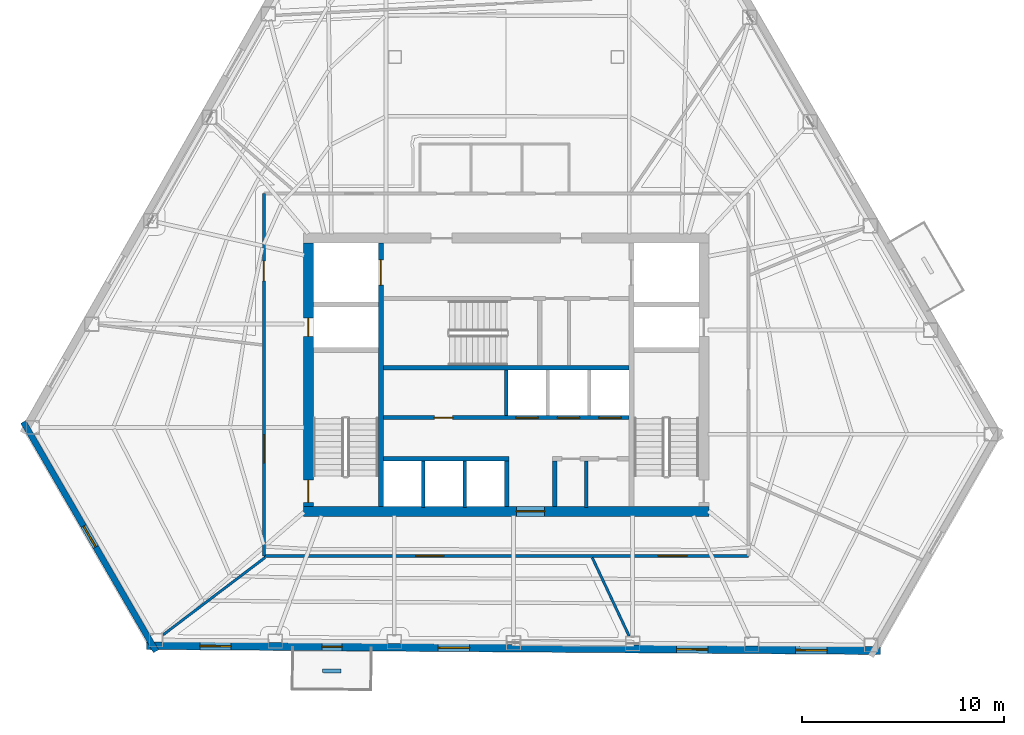
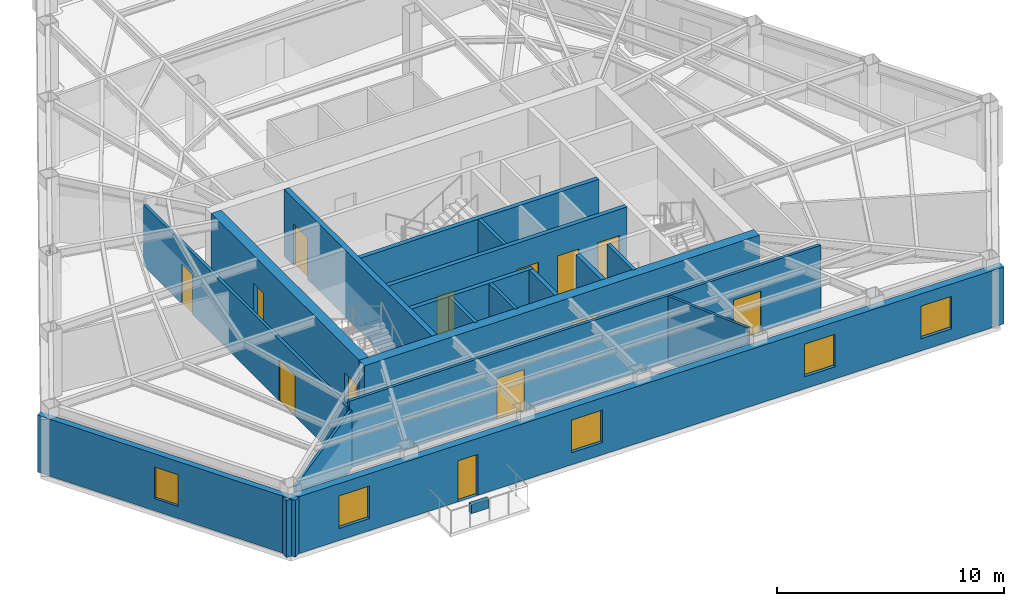
# One storey, part 5 of 9: 19 walls, 13 doors, 5 windows, 18 openings.
"""IFC4 building model written with IfcOpenShell, lengths in metres."""

from ifc_helpers import new_model, si_unit, direction, frame, frame_2d, origin, place, context, subcontext, project, spatial, rectangle, extrude, material, layer, layer_set, type_object, element, fill, save


model = new_model("IFC4")

# Units and contexts
model_context = context("Model", 3, precision=1e-05, world=origin(), true_north=direction((0.0, 1.0)))
body_context = subcontext(model_context, "Body", "Model", "MODEL_VIEW")
ifc_project = project(units=[si_unit("LENGTHUNIT", "METRE"), si_unit("AREAUNIT", "SQUARE_METRE"), si_unit("VOLUMEUNIT", "CUBIC_METRE"), si_unit("PLANEANGLEUNIT", "RADIAN"), si_unit("MASSUNIT", "GRAM", prefix="KILO")], contexts=[model_context])

# Site, building, storey
site_placement = place(None, origin())
site = spatial("IfcSite", under=ifc_project, at=site_placement, CompositionType="ELEMENT")
building_placement = place(site_placement, origin())
building = spatial("IfcBuilding", under=site, at=building_placement, Name="Kavelnor Concourse Tower", CompositionType="ELEMENT")
storey_placement = place(building_placement, frame((0.0, 0.0, 112.449951171875)))
storey = spatial("IfcBuildingStorey", under=building, at=storey_placement, Name="L28", CompositionType="ELEMENT", Elevation=112.449951171875)

# Wall, opening, door
ifc_material_1 = material(Name="Concrete C60/75", Category="concrete")
ifc_layer_1 = layer(ifc_material_1, 0.5, Name="Concrete C60/75")
ifc_layer_set_1 = layer_set([ifc_layer_1], Name="Concrete C60/75")
wall_type_1 = type_object("IfcWallType", Name="WL-CORE-Z2-500", PredefinedType="SOLIDWALL", material=ifc_layer_set_1)
wall_1_placement = place(storey_placement, frame((27.97998046875, 9.35009765625, 0.0), z_axis=(0.0, 0.0, 1.0), x_axis=(1.0, 0.0, 0.0)))
wall_1 = element("IfcWall", 1, at=wall_1_placement, inside=storey, type_object=wall_type_1, Name="L28 Central Core South Shear Wall", PredefinedType="SOLIDWALL", context=body_context, shape_type="SweptSolid", body=[
    extrude(rectangle(XDim=20.0400390625, YDim=0.5, at=frame_2d((10.02001953125, 0.0))), origin(), (0.0, 0.0, 1.0), 3.60009765625),
])
opening_1_placement = place(wall_1_placement, frame((10.52001953125, 0.0, 0.0)))
opening_1 = element("IfcOpeningElement", 2, at=opening_1_placement, cuts=wall_1, Name="Opening SD-140", PredefinedType="OPENING", context=body_context, shape_type="SweptSolid", body=[
    extrude(rectangle(XDim=1.39990234375, YDim=2.199951171875, at=frame_2d((0.699951171875, 1.10009765625))), frame((0.0, 0.260009765625, 0.0), z_axis=(0.0, -1.0, 0.0), x_axis=(1.0, 0.0, 0.0)), (0.0, 0.0, 1.0), 0.52001953125),
])
ifc_material_2 = material(Name="Solid-core hardwood timber", Category="wood")
door_type_1 = type_object("IfcDoorType", Name="DR-SUITE-ENTRY-1400", OperationType="NOTDEFINED", PredefinedType="DOOR", material=ifc_material_2)
door_1_placement = place(opening_1_placement, origin())
door_1 = element("IfcDoor", 3, at=door_1_placement, inside=storey, type_object=door_type_1, Name="L28 Passenger Lift Lobby Entry Door", OperationType="SINGLE_SWING_LEFT", OverallHeight=2.199951171875, OverallWidth=1.39990234375, PredefinedType="DOOR", context=body_context, shape_type="SweptSolid", body=[
    extrude(rectangle(XDim=1.39990234375, YDim=2.199951171875, at=frame_2d((0.699951171875, 1.10009765625))), frame((0.0, 0.02490234375, 0.0), z_axis=(0.0, -1.0, 0.0), x_axis=(1.0, 0.0, 0.0)), (0.0, 0.0, 1.0), 0.050048828125),
])
fill(opening_1, door_1)

# Wall, openings, doors
wall_2_placement = place(storey_placement, frame((28.22998046875, 9.60009765625, 0.0), z_axis=(0.0, 0.0, 1.0), x_axis=(0.0, 1.0, 0.0)))
wall_2 = element("IfcWall", 4, at=wall_2_placement, inside=storey, type_object=wall_type_1, Name="L28 Central Core West Shear Wall", PredefinedType="SOLIDWALL", context=body_context, shape_type="SweptSolid", body=[
    extrude(rectangle(XDim=13.0, YDim=0.5, at=frame_2d((6.5, 0.0))), origin(), (0.0, 0.0, 1.0), 3.60009765625),
])
opening_2_placement = place(wall_2_placement, frame((0.199951171875, 0.0, 0.0)))
opening_2 = element("IfcOpeningElement", 5, at=opening_2_placement, cuts=wall_2, Name="Opening FD-110", PredefinedType="OPENING", context=body_context, shape_type="SweptSolid", body=[
    extrude(rectangle(XDim=1.10009765625, YDim=2.14990234375, at=frame_2d((0.550048828125, 1.074951171875))), frame((0.0, 0.260009765625, 0.0), z_axis=(0.0, -1.0, 0.0), x_axis=(1.0, 0.0, 0.0)), (0.0, 0.0, 1.0), 0.52001953125),
])
opening_3_placement = place(wall_2_placement, frame((8.39990234375, 0.0, 0.0)))
opening_3 = element("IfcOpeningElement", 6, at=opening_3_placement, cuts=wall_2, Name="Opening FD-090", PredefinedType="OPENING", context=body_context, shape_type="SweptSolid", body=[
    extrude(rectangle(XDim=0.89990234375, YDim=2.10009765625, at=frame_2d((0.449951171875, 1.050048828125))), frame((0.0, 0.260009765625, 0.0), z_axis=(0.0, -1.0, 0.0), x_axis=(1.0, 0.0, 0.0)), (0.0, 0.0, 1.0), 0.52001953125),
])
ifc_material_3 = material(Name="Steel Grade 350", Category="steel")
door_type_2 = type_object("IfcDoorType", Name="DR-RISER-FIRE-900", OperationType="NOTDEFINED", PredefinedType="DOOR", material=ifc_material_3)
door_2_placement = place(opening_3_placement, origin())
door_2 = element("IfcDoor", 7, at=door_2_placement, inside=storey, type_object=door_type_2, Name="L28 West Riser Access Door", OperationType="SINGLE_SWING_RIGHT", OverallHeight=2.10009765625, OverallWidth=0.89990234375, PredefinedType="DOOR", context=body_context, shape_type="SweptSolid", body=[
    extrude(rectangle(XDim=0.89990234375, YDim=2.10009765625, at=frame_2d((0.449951171875, 1.050048828125))), frame((0.0, 0.02490234375, 0.0), z_axis=(0.0, -1.0, 0.0), x_axis=(1.0, 0.0, 0.0)), (0.0, 0.0, 1.0), 0.050048828125),
])
fill(opening_3, door_2)
door_type_3 = type_object("IfcDoorType", Name="DR-STAIR-FIRE-1100", OperationType="NOTDEFINED", PredefinedType="DOOR", material=ifc_material_3)
door_3_placement = place(opening_2_placement, origin())
door_3 = element("IfcDoor", 8, at=door_3_placement, inside=storey, type_object=door_type_3, Name="L28 Stair ST1 Fire Door", OperationType="SINGLE_SWING_LEFT", OverallHeight=2.14990234375, OverallWidth=1.10009765625, PredefinedType="DOOR", context=body_context, shape_type="SweptSolid", body=[
    extrude(rectangle(XDim=1.10009765625, YDim=2.14990234375, at=frame_2d((0.550048828125, 1.074951171875))), frame((0.0, 0.02490234375, 0.0), z_axis=(0.0, -1.0, 0.0), x_axis=(1.0, 0.0, 0.0)), (0.0, 0.0, 1.0), 0.050048828125),
])
fill(opening_2, door_3)

# Wall, opening, window
ifc_material_4 = material(Name="Buff ironspot clay face brick masonry", Category="masonry")
ifc_layer_2 = layer(ifc_material_4, 0.300048828125, Name="Buff ironspot clay face brick masonry")
ifc_layer_set_2 = layer_set([ifc_layer_2], Name="Buff ironspot clay face brick masonry")
wall_type_2 = type_object("IfcWallType", Name="WL-EXT-BUFF-BRICK-FOLD-300", PredefinedType="STANDARD", material=ifc_layer_set_2)
wall_3_placement = place(storey_placement, frame((20.70068359375, 2.43994140625, 0.0), z_axis=(0.0, 0.0, 1.0), x_axis=(-0.50082386504, 0.86554922229, 0.0)))
wall_3 = element("IfcWall", 9, at=wall_3_placement, inside=storey, type_object=wall_type_2, Name="L28 Exterior Brick Facade Wall E2", PredefinedType="STANDARD", context=body_context, shape_type="SweptSolid", body=[
    extrude(rectangle(XDim=13.09521484375, YDim=0.300048828125, at=frame_2d((6.547607421875, 0.0))), origin(), (0.0, 0.0, 1.0), 3.05908203125),
])
opening_4_placement = place(wall_3_placement, frame((5.947509765625, 0.0, 0.64990234375)))
opening_4 = element("IfcOpeningElement", 10, at=opening_4_placement, cuts=wall_3, Name="Opening W-05", PredefinedType="OPENING", context=body_context, shape_type="SweptSolid", body=[
    extrude(rectangle(XDim=1.199951171875, YDim=1.699951171875, at=frame_2d((0.60009765625, 0.85009765625))), frame((0.0, 0.16015625, 0.0), z_axis=(0.0, -1.0, 0.0), x_axis=(1.0, 0.0, 0.0)), (0.0, 0.0, 1.0), 0.320068359375),
])
ifc_material_5 = material(Name="Double low-E argon insulated glazing", Category="glass")
window_type_1 = type_object("IfcWindowType", Name="WIN-FOLD-1200", PartitioningType="SINGLE_PANEL", PredefinedType="WINDOW", material=ifc_material_5)
window_1_placement = place(opening_4_placement, origin())
window_1 = element("IfcWindow", 11, at=window_1_placement, inside=storey, type_object=window_type_1, Name="L28 Chamfer-Fold Facet Window C1", OverallHeight=1.699951171875, OverallWidth=1.199951171875, PartitioningType="SINGLE_PANEL", PredefinedType="WINDOW", context=body_context, shape_type="SweptSolid", body=[
    extrude(rectangle(XDim=1.199951171875, YDim=1.699951171875, at=frame_2d((0.60009765625, 0.85009765625))), frame((0.0, 0.030029296875, 0.0), z_axis=(0.0, -1.0, 0.0), x_axis=(1.0, 0.0, 0.0)), (0.0, 0.0, 1.0), 0.06005859375),
])
fill(opening_4, window_1)

# Wall, openings, door, windows
ifc_material_6 = material(Name="Red-ochre clay face brick masonry", Category="masonry")
ifc_layer_3 = layer(ifc_material_6, 0.3798828125, Name="Red-ochre clay face brick masonry")
ifc_layer_set_3 = layer_set([ifc_layer_3], Name="Red-ochre clay face brick masonry")
wall_type_3 = type_object("IfcWallType", Name="WL-EXT-RED-BRICK-PIER-380", PredefinedType="STANDARD", material=ifc_layer_set_3)
wall_4_placement = place(storey_placement, frame((56.505126953125, 2.47119140625, 0.0), z_axis=(0.0, 0.0, 1.0), x_axis=(-0.999976634765, 0.0068359289, 0.0)))
wall_4 = element("IfcWall", 12, at=wall_4_placement, inside=storey, type_object=wall_type_3, Name="L28 Exterior Brick Facade Wall E3", PredefinedType="STANDARD", context=body_context, shape_type="SweptSolid", body=[
    extrude(rectangle(XDim=36.28564453125, YDim=0.3798828125, at=frame_2d((18.142822265625, 0.0))), origin(), (0.0, 0.0, 1.0), 3.05908203125),
])
opening_5_placement = place(wall_4_placement, frame((26.6142578125, 0.0, 0.0)))
opening_5 = element("IfcOpeningElement", 13, at=opening_5_placement, cuts=wall_4, Name="Opening BD-100", PredefinedType="OPENING", context=body_context, shape_type="SweptSolid", body=[
    extrude(rectangle(XDim=1.0, YDim=2.199951171875, at=frame_2d((0.5, 1.10009765625))), frame((0.0, 0.199951171875, 0.0), z_axis=(0.0, -1.0, 0.0), x_axis=(1.0, 0.0, 0.0)), (0.0, 0.0, 1.0), 0.39990234375),
])
opening_6_placement = place(wall_4_placement, frame((32.091796875, 0.0, 0.64990234375)))
opening_6 = element("IfcOpeningElement", 14, at=opening_6_placement, cuts=wall_4, Name="Opening W-02", PredefinedType="OPENING", context=body_context, shape_type="SweptSolid", body=[
    extrude(rectangle(XDim=1.550048828125, YDim=1.75, at=frame_2d((0.77490234375, 0.875))), frame((0.0, 0.199951171875, 0.0), z_axis=(0.0, -1.0, 0.0), x_axis=(1.0, 0.0, 0.0)), (0.0, 0.0, 1.0), 0.39990234375),
])
opening_7_placement = place(wall_4_placement, frame((20.315185546875, 0.0, 0.64990234375)))
opening_7 = element("IfcOpeningElement", 15, at=opening_7_placement, cuts=wall_4, Name="Opening W-02", PredefinedType="OPENING", context=body_context, shape_type="SweptSolid", body=[
    extrude(rectangle(XDim=1.550048828125, YDim=1.75, at=frame_2d((0.77490234375, 0.875))), frame((0.0, 0.199951171875, 0.0), z_axis=(0.0, -1.0, 0.0), x_axis=(1.0, 0.0, 0.0)), (0.0, 0.0, 1.0), 0.39990234375),
])
opening_8_placement = place(wall_4_placement, frame((8.538818359375, 0.0, 0.64990234375)))
opening_8 = element("IfcOpeningElement", 16, at=opening_8_placement, cuts=wall_4, Name="Opening W-02", PredefinedType="OPENING", context=body_context, shape_type="SweptSolid", body=[
    extrude(rectangle(XDim=1.550048828125, YDim=1.75, at=frame_2d((0.77490234375, 0.875))), frame((0.0, 0.199951171875, 0.0), z_axis=(0.0, -1.0, 0.0), x_axis=(1.0, 0.0, 0.0)), (0.0, 0.0, 1.0), 0.39990234375),
])
opening_9_placement = place(wall_4_placement, frame((2.650390625, 0.0, 0.64990234375)))
opening_9 = element("IfcOpeningElement", 17, at=opening_9_placement, cuts=wall_4, Name="Opening W-02", PredefinedType="OPENING", context=body_context, shape_type="SweptSolid", body=[
    extrude(rectangle(XDim=1.550048828125, YDim=1.75, at=frame_2d((0.77490234375, 0.875))), frame((0.0, 0.199951171875, 0.0), z_axis=(0.0, -1.0, 0.0), x_axis=(1.0, 0.0, 0.0)), (0.0, 0.0, 1.0), 0.39990234375),
])
ifc_material_7 = material(Name="Anodised aluminium 6063-T6", Category="aluminium")
door_type_4 = type_object("IfcDoorType", Name="DR-BALCONY-EXT-1000", OperationType="NOTDEFINED", PredefinedType="DOOR", material=ifc_material_7)
door_4_placement = place(opening_5_placement, origin())
door_4 = element("IfcDoor", 18, at=door_4_placement, inside=storey, type_object=door_type_4, Name="L28 Tree Balcony 1 Glazed Door", OperationType="SINGLE_SWING_LEFT", OverallHeight=2.199951171875, OverallWidth=1.0, PredefinedType="DOOR", context=body_context, shape_type="SweptSolid", body=[
    extrude(rectangle(XDim=1.0, YDim=2.199951171875, at=frame_2d((0.5, 1.10009765625))), frame((0.0, 0.02490234375, 0.0), z_axis=(0.0, -1.0, 0.0), x_axis=(1.0, 0.0, 0.0)), (0.0, 0.0, 1.0), 0.050048828125),
])
fill(opening_5, door_4)
window_type_2 = type_object("IfcWindowType", Name="WIN-PIER-Z2-1650", PartitioningType="SINGLE_PANEL", PredefinedType="WINDOW", material=ifc_material_5)
window_2_placement = place(opening_6_placement, origin())
window_2 = element("IfcWindow", 19, at=window_2_placement, inside=storey, type_object=window_type_2, Name="L28 Deep-Set Brick Pier Window F1-B0", OverallHeight=1.75, OverallWidth=1.550048828125, PartitioningType="SINGLE_PANEL", PredefinedType="WINDOW", context=body_context, shape_type="SweptSolid", body=[
    extrude(rectangle(XDim=1.550048828125, YDim=1.75, at=frame_2d((0.77490234375, 0.875))), frame((0.0, 0.030029296875, 0.0), z_axis=(0.0, -1.0, 0.0), x_axis=(1.0, 0.0, 0.0)), (0.0, 0.0, 1.0), 0.06005859375),
])
fill(opening_6, window_2)
window_3_placement = place(opening_7_placement, origin())
window_3 = element("IfcWindow", 20, at=window_3_placement, inside=storey, type_object=window_type_2, Name="L28 Deep-Set Brick Pier Window F1-B2", OverallHeight=1.75, OverallWidth=1.550048828125, PartitioningType="SINGLE_PANEL", PredefinedType="WINDOW", context=body_context, shape_type="SweptSolid", body=[
    extrude(rectangle(XDim=1.550048828125, YDim=1.75, at=frame_2d((0.77490234375, 0.875))), frame((0.0, 0.030029296875, 0.0), z_axis=(0.0, -1.0, 0.0), x_axis=(1.0, 0.0, 0.0)), (0.0, 0.0, 1.0), 0.06005859375),
])
fill(opening_7, window_3)
window_4_placement = place(opening_8_placement, origin())
window_4 = element("IfcWindow", 21, at=window_4_placement, inside=storey, type_object=window_type_2, Name="L28 Deep-Set Brick Pier Window F1-B4", OverallHeight=1.75, OverallWidth=1.550048828125, PartitioningType="SINGLE_PANEL", PredefinedType="WINDOW", context=body_context, shape_type="SweptSolid", body=[
    extrude(rectangle(XDim=1.550048828125, YDim=1.75, at=frame_2d((0.77490234375, 0.875))), frame((0.0, 0.030029296875, 0.0), z_axis=(0.0, -1.0, 0.0), x_axis=(1.0, 0.0, 0.0)), (0.0, 0.0, 1.0), 0.06005859375),
])
fill(opening_8, window_4)
window_5_placement = place(opening_9_placement, origin())
window_5 = element("IfcWindow", 22, at=window_5_placement, inside=storey, type_object=window_type_2, Name="L28 Deep-Set Brick Pier Window F1-B5", OverallHeight=1.75, OverallWidth=1.550048828125, PartitioningType="SINGLE_PANEL", PredefinedType="WINDOW", context=body_context, shape_type="SweptSolid", body=[
    extrude(rectangle(XDim=1.550048828125, YDim=1.75, at=frame_2d((0.77490234375, 0.875))), frame((0.0, 0.030029296875, 0.0), z_axis=(0.0, -1.0, 0.0), x_axis=(1.0, 0.0, 0.0)), (0.0, 0.0, 1.0), 0.06005859375),
])
fill(opening_9, window_5)

# Wall, openings, doors
ifc_material_8 = material(Name="Gypsum plasterboard on light-gauge steel studs", Category="steel")
ifc_layer_4 = layer(ifc_material_8, 0.14501953125, Name="Gypsum plasterboard on light-gauge steel studs")
ifc_layer_set_4 = layer_set([ifc_layer_4], Name="Gypsum plasterboard on light-gauge steel studs")
wall_type_4 = type_object("IfcWallType", Name="WL-INT-CORR-145", PredefinedType="PARTITIONING", material=ifc_layer_set_4)
wall_5_placement = place(storey_placement, frame((26.030029296875, 25.050048828125, 0.0), z_axis=(0.0, 0.0, 1.0), x_axis=(0.0, -1.0, 0.0)))
wall_5 = element("IfcWall", 23, at=wall_5_placement, inside=storey, type_object=wall_type_4, Name="L28 Corridor Wall WL-L28-CR-03", PredefinedType="PARTITIONING", context=body_context, shape_type="SweptSolid", body=[
    extrude(rectangle(XDim=17.900146484375, YDim=0.14501953125, at=frame_2d((8.9501953125, 0.0))), origin(), (0.0, 0.0, 1.0), 3.2880859375),
])
opening_10_placement = place(wall_5_placement, frame((3.3330078125, 0.0, 0.0)))
opening_10 = element("IfcOpeningElement", 24, at=opening_10_placement, cuts=wall_5, Name="Opening OD-098", PredefinedType="OPENING", context=body_context, shape_type="SweptSolid", body=[
    extrude(rectangle(XDim=0.97998046875, YDim=2.14990234375, at=frame_2d((0.489990234375, 1.074951171875))), frame((0.0, 0.08251953125, 0.0), z_axis=(0.0, -1.0, 0.0), x_axis=(1.0, 0.0, 0.0)), (0.0, 0.0, 1.0), 0.1650390625),
])
opening_11_placement = place(wall_5_placement, frame((11.902099609375, 0.0, 0.0)))
opening_11 = element("IfcOpeningElement", 25, at=opening_11_placement, cuts=wall_5, Name="Opening SD-140", PredefinedType="OPENING", context=body_context, shape_type="SweptSolid", body=[
    extrude(rectangle(XDim=1.39990234375, YDim=2.199951171875, at=frame_2d((0.699951171875, 1.10009765625))), frame((0.0, 0.08251953125, 0.0), z_axis=(0.0, -1.0, 0.0), x_axis=(1.0, 0.0, 0.0)), (0.0, 0.0, 1.0), 0.1650390625),
])
door_type_5 = type_object("IfcDoorType", Name="DR-OFFICE-980", OperationType="NOTDEFINED", PredefinedType="DOOR", material=ifc_material_2)
door_5_placement = place(opening_10_placement, origin())
door_5 = element("IfcDoor", 26, at=door_5_placement, inside=storey, type_object=door_type_5, Name="L28 Executive Dining Room 04 Door", OperationType="SINGLE_SWING_LEFT", OverallHeight=2.14990234375, OverallWidth=0.97998046875, PredefinedType="DOOR", context=body_context, shape_type="SweptSolid", body=[
    extrude(rectangle(XDim=0.97998046875, YDim=2.14990234375, at=frame_2d((0.489990234375, 1.074951171875))), frame((0.0, 0.02490234375, 0.0), z_axis=(0.0, -1.0, 0.0), x_axis=(1.0, 0.0, 0.0)), (0.0, 0.0, 1.0), 0.050048828125),
])
fill(opening_10, door_5)
door_6_placement = place(opening_11_placement, origin())
door_6 = element("IfcDoor", 27, at=door_6_placement, inside=storey, type_object=door_type_1, Name="L28 Executive Dining Room 05 Door", OperationType="SINGLE_SWING_RIGHT", OverallHeight=2.199951171875, OverallWidth=1.39990234375, PredefinedType="DOOR", context=body_context, shape_type="SweptSolid", body=[
    extrude(rectangle(XDim=1.39990234375, YDim=2.199951171875, at=frame_2d((0.699951171875, 1.10009765625))), frame((0.0, 0.02490234375, 0.0), z_axis=(0.0, -1.0, 0.0), x_axis=(1.0, 0.0, 0.0)), (0.0, 0.0, 1.0), 0.050048828125),
])
fill(opening_11, door_6)

wall_6_placement = place(storey_placement, frame((26.030029296875, 7.14990234375, 0.0), z_axis=(0.0, 0.0, 1.0), x_axis=(1.0, 0.0, 0.0)))
wall_6 = element("IfcWall", 28, at=wall_6_placement, inside=storey, type_object=wall_type_4, Name="L28 Corridor Wall WL-L28-CR-04", PredefinedType="PARTITIONING", context=body_context, shape_type="SweptSolid", body=[
    extrude(rectangle(XDim=23.93994140625, YDim=0.14501953125, at=frame_2d((11.969970703125, 0.0))), origin(), (0.0, 0.0, 1.0), 3.60009765625),
])
opening_12_placement = place(wall_6_placement, frame((7.493896484375, 0.0, 0.0)))
opening_12 = element("IfcOpeningElement", 29, at=opening_12_placement, cuts=wall_6, Name="Opening SD-140", PredefinedType="OPENING", context=body_context, shape_type="SweptSolid", body=[
    extrude(rectangle(XDim=1.39990234375, YDim=2.199951171875, at=frame_2d((0.699951171875, 1.10009765625))), frame((0.0, 0.08251953125, 0.0), z_axis=(0.0, -1.0, 0.0), x_axis=(1.0, 0.0, 0.0)), (0.0, 0.0, 1.0), 0.1650390625),
])
opening_13_placement = place(wall_6_placement, frame((19.49560546875, 0.0, 0.0)))
opening_13 = element("IfcOpeningElement", 30, at=opening_13_placement, cuts=wall_6, Name="Opening SD-140", PredefinedType="OPENING", context=body_context, shape_type="SweptSolid", body=[
    extrude(rectangle(XDim=1.39990234375, YDim=2.199951171875, at=frame_2d((0.699951171875, 1.10009765625))), frame((0.0, 0.08251953125, 0.0), z_axis=(0.0, -1.0, 0.0), x_axis=(1.0, 0.0, 0.0)), (0.0, 0.0, 1.0), 0.1650390625),
])
door_7_placement = place(opening_12_placement, origin())
door_7 = element("IfcDoor", 31, at=door_7_placement, inside=storey, type_object=door_type_1, Name="L28 Executive Dining Room 06 Door", OperationType="SINGLE_SWING_LEFT", OverallHeight=2.199951171875, OverallWidth=1.39990234375, PredefinedType="DOOR", context=body_context, shape_type="SweptSolid", body=[
    extrude(rectangle(XDim=1.39990234375, YDim=2.199951171875, at=frame_2d((0.699951171875, 1.10009765625))), frame((0.0, 0.02490234375, 0.0), z_axis=(0.0, -1.0, 0.0), x_axis=(1.0, 0.0, 0.0)), (0.0, 0.0, 1.0), 0.050048828125),
])
fill(opening_12, door_7)
door_8_placement = place(opening_13_placement, origin())
door_8 = element("IfcDoor", 32, at=door_8_placement, inside=storey, type_object=door_type_1, Name="L28 Workplace Open Office 07 Door", OperationType="SINGLE_SWING_RIGHT", OverallHeight=2.199951171875, OverallWidth=1.39990234375, PredefinedType="DOOR", context=body_context, shape_type="SweptSolid", body=[
    extrude(rectangle(XDim=1.39990234375, YDim=2.199951171875, at=frame_2d((0.699951171875, 1.10009765625))), frame((0.0, 0.02490234375, 0.0), z_axis=(0.0, -1.0, 0.0), x_axis=(1.0, 0.0, 0.0)), (0.0, 0.0, 1.0), 0.050048828125),
])
fill(opening_13, door_8)

# Walls
ifc_layer_5 = layer(ifc_material_8, 0.1650390625, Name="Gypsum plasterboard on light-gauge steel studs")
ifc_layer_set_5 = layer_set([ifc_layer_5], Name="Gypsum plasterboard on light-gauge steel studs")
wall_type_5 = type_object("IfcWallType", Name="WL-INT-FIRE-165", PredefinedType="PARTITIONING", material=ifc_layer_set_5)
for number, where, z_axis, x_axis, name in (
    (33, (33.89990234375, 9.550048828125, 0.0), (0.0, 0.0, 1.0), (0.0, 1.0, 0.0), "L28 Lift Shaft Divider LP7"),
    (34, (35.949951171875, 9.550048828125, 0.0), (0.0, 0.0, 1.0), (0.0, 1.0, 0.0), "L28 Lift Shaft Divider LP8"),
):
    element("IfcWall", number, at=place(storey_placement, frame(where, z_axis=z_axis, x_axis=x_axis)), inside=storey, type_object=wall_type_5, Name=name, PredefinedType="PARTITIONING", context=body_context, shape_type="SweptSolid", body=[
        extrude(rectangle(XDim=2.2900390625, YDim=0.1650390625, at=frame_2d((1.14501953125, 0.0))), origin(), (0.0, 0.0, 1.0), 3.60009765625),
    ])
wall_7_placement = place(storey_placement, frame((38.0, 14.10009765625, 0.0), z_axis=(0.0, 0.0, 1.0), x_axis=(0.0, 1.0, 0.0)))
element("IfcWall", 35, at=wall_7_placement, inside=storey, type_object=wall_type_5, Name="L28 Reclaimed Core Zone Partition", PredefinedType="PARTITIONING", context=body_context, shape_type="SweptSolid", body=[
    extrude(rectangle(XDim=2.239990234375, YDim=0.1650390625, at=frame_2d((1.1201171875, 0.0))), origin(), (0.0, 0.0, 1.0), 3.60009765625),
])
wall_8_placement = place(storey_placement, frame((41.949951171875, 9.550048828125, 0.0), z_axis=(0.0, 0.0, 1.0), x_axis=(0.0, 1.0, 0.0)))
element("IfcWall", 36, at=wall_8_placement, inside=storey, type_object=wall_type_5, Name="L28 Core WC Partition", PredefinedType="PARTITIONING", context=body_context, shape_type="SweptSolid", body=[
    extrude(rectangle(XDim=2.2900390625, YDim=0.1650390625, at=frame_2d((1.14501953125, 0.0))), origin(), (0.0, 0.0, 1.0), 3.60009765625),
])
ifc_layer_6 = layer(ifc_material_8, 0.125, Name="Gypsum plasterboard on light-gauge steel studs")
ifc_layer_set_6 = layer_set([ifc_layer_6], Name="Gypsum plasterboard on light-gauge steel studs")
wall_type_6 = type_object("IfcWallType", Name="WL-INT-SUITE-125", PredefinedType="PARTITIONING", material=ifc_layer_set_6)
wall_9_placement = place(storey_placement, frame((26.084716796875, 7.069580078125, 0.0), z_axis=(0.0, 0.0, 1.0), x_axis=(-0.796955292874, -0.604038294449, 0.0)))
element("IfcWall", 37, at=wall_9_placement, inside=storey, type_object=wall_type_6, Name="L28 Radial Suite Partition 05", PredefinedType="PARTITIONING", context=body_context, shape_type="SweptSolid", body=[
    extrude(rectangle(XDim=6.32373046875, YDim=0.125, at=frame_2d((3.161865234375, 0.0))), origin(), (0.0, 0.0, 1.0), 3.14111328125),
])
wall_10_placement = place(storey_placement, frame((42.251220703125, 7.069580078125, 0.0), z_axis=(0.0, 0.0, 1.0), x_axis=(0.425915025218, -0.904763168621, 0.0)))
element("IfcWall", 38, at=wall_10_placement, inside=storey, type_object=wall_type_6, Name="L28 Radial Suite Partition 06", PredefinedType="PARTITIONING", context=body_context, shape_type="SweptSolid", body=[
    extrude(rectangle(XDim=4.28466796875, YDim=0.125, at=frame_2d((2.142333984375, 0.0))), origin(), (0.0, 0.0, 1.0), 3.60009765625),
])
ifc_material_9 = material(Name="Architectural precast planter concrete C40/50", Category="concrete")
ifc_layer_7 = layer(ifc_material_9, 0.18994140625, Name="Architectural precast planter concrete C40/50")
ifc_layer_set_7 = layer_set([ifc_layer_7], Name="Architectural precast planter concrete C40/50")
wall_type_7 = type_object("IfcWallType", Name="WL-PLANTER-KERB-190", PredefinedType="USERDEFINED", material=ifc_layer_set_7)
wall_11_placement = place(storey_placement, frame((28.93359375, 1.474609375, 0.0), z_axis=(0.0, 0.0, 1.0), x_axis=(0.999977000183, -0.006782263973, 0.0)))
element("IfcWall", 39, at=wall_11_placement, inside=storey, type_object=wall_type_7, Name="L28 Tree Balcony 1 Tree Planter Kerb", ObjectType="PLANTER", PredefinedType="USERDEFINED", context=body_context, shape_type="SweptSolid", body=[
    extrude(rectangle(XDim=0.89990234375, YDim=0.18994140625, at=frame_2d((0.449951171875, 0.0))), origin(), (0.0, 0.0, 1.0), 0.5),
])
ifc_material_10 = material(Name="Concrete C50/60", Category="concrete")
ifc_layer_8 = layer(ifc_material_10, 0.219970703125, Name="Concrete C50/60")
ifc_layer_set_8 = layer_set([ifc_layer_8], Name="Concrete C50/60")
wall_type_8 = type_object("IfcWallType", Name="WL-SHAFT-220", PredefinedType="SOLIDWALL", material=ifc_layer_set_8)
wall_12_placement = place(storey_placement, frame((31.93994140625, 16.449951171875, 0.0), z_axis=(0.0, 0.0, 1.0), x_axis=(1.0, 0.0, 0.0)))
element("IfcWall", 40, at=wall_12_placement, inside=storey, type_object=wall_type_8, Name="L28 Stair ST3 South Core Wall", PredefinedType="SOLIDWALL", context=body_context, shape_type="SweptSolid", body=[
    extrude(rectangle(XDim=12.1201171875, YDim=0.219970703125, at=frame_2d((6.06005859375, 0.0))), origin(), (0.0, 0.0, 1.0), 3.60009765625),
])

# Wall, openings, doors
wall_13_placement = place(storey_placement, frame((31.93994140625, 13.989990234375, 0.0), z_axis=(0.0, 0.0, 1.0), x_axis=(1.0, 0.0, 0.0)))
wall_13 = element("IfcWall", 41, at=wall_13_placement, inside=storey, type_object=wall_type_8, Name="L28 North Lift Row Shaft Wall", PredefinedType="SOLIDWALL", context=body_context, shape_type="SweptSolid", body=[
    extrude(rectangle(XDim=12.1201171875, YDim=0.219970703125, at=frame_2d((6.06005859375, 0.0))), origin(), (0.0, 0.0, 1.0), 3.60009765625),
])
opening_14_placement = place(wall_13_placement, frame((2.510009765625, 0.0, 0.0)))
opening_14 = element("IfcOpeningElement", 42, at=opening_14_placement, cuts=wall_13, Name="Opening FD-090", PredefinedType="OPENING", context=body_context, shape_type="SweptSolid", body=[
    extrude(rectangle(XDim=0.89990234375, YDim=2.10009765625, at=frame_2d((0.449951171875, 1.050048828125))), frame((0.0, 0.1201171875, 0.0), z_axis=(0.0, -1.0, 0.0), x_axis=(1.0, 0.0, 0.0)), (0.0, 0.0, 1.0), 0.239990234375),
])
opening_15_placement = place(wall_13_placement, frame((6.534912109375, 0.0, 0.0)))
opening_15 = element("IfcOpeningElement", 43, at=opening_15_placement, cuts=wall_13, Name="Opening LD-110", PredefinedType="OPENING", context=body_context, shape_type="SweptSolid", body=[
    extrude(rectangle(XDim=1.10009765625, YDim=2.199951171875, at=frame_2d((0.550048828125, 1.10009765625))), frame((0.0, 0.1201171875, 0.0), z_axis=(0.0, -1.0, 0.0), x_axis=(1.0, 0.0, 0.0)), (0.0, 0.0, 1.0), 0.239990234375),
])
opening_16_placement = place(wall_13_placement, frame((8.5849609375, 0.0, 0.0)))
opening_16 = element("IfcOpeningElement", 44, at=opening_16_placement, cuts=wall_13, Name="Opening LD-110", PredefinedType="OPENING", context=body_context, shape_type="SweptSolid", body=[
    extrude(rectangle(XDim=1.10009765625, YDim=2.199951171875, at=frame_2d((0.550048828125, 1.10009765625))), frame((0.0, 0.1201171875, 0.0), z_axis=(0.0, -1.0, 0.0), x_axis=(1.0, 0.0, 0.0)), (0.0, 0.0, 1.0), 0.239990234375),
])
opening_17_placement = place(wall_13_placement, frame((10.635009765625, 0.0, 0.0)))
opening_17 = element("IfcOpeningElement", 45, at=opening_17_placement, cuts=wall_13, Name="Opening LD-110", PredefinedType="OPENING", context=body_context, shape_type="SweptSolid", body=[
    extrude(rectangle(XDim=1.10009765625, YDim=2.199951171875, at=frame_2d((0.550048828125, 1.10009765625))), frame((0.0, 0.1201171875, 0.0), z_axis=(0.0, -1.0, 0.0), x_axis=(1.0, 0.0, 0.0)), (0.0, 0.0, 1.0), 0.239990234375),
])
door_type_6 = type_object("IfcDoorType", Name="DR-LIFT-SLIDING-1100", OperationType="NOTDEFINED", PredefinedType="DOOR", material=ifc_material_3)
door_9_placement = place(opening_15_placement, origin())
door_9 = element("IfcDoor", 46, at=door_9_placement, inside=storey, type_object=door_type_6, Name="L28 Lift LP4 Landing Door", OperationType="DOUBLE_DOOR_SLIDING", OverallHeight=2.199951171875, OverallWidth=1.10009765625, PredefinedType="DOOR", context=body_context, shape_type="SweptSolid", body=[
    extrude(rectangle(XDim=1.10009765625, YDim=2.199951171875, at=frame_2d((0.550048828125, 1.10009765625))), frame((0.0, 0.02490234375, 0.0), z_axis=(0.0, -1.0, 0.0), x_axis=(1.0, 0.0, 0.0)), (0.0, 0.0, 1.0), 0.050048828125),
])
fill(opening_15, door_9)
door_10_placement = place(opening_16_placement, origin())
door_10 = element("IfcDoor", 47, at=door_10_placement, inside=storey, type_object=door_type_6, Name="L28 Lift LP5 Landing Door", OperationType="DOUBLE_DOOR_SLIDING", OverallHeight=2.199951171875, OverallWidth=1.10009765625, PredefinedType="DOOR", context=body_context, shape_type="SweptSolid", body=[
    extrude(rectangle(XDim=1.10009765625, YDim=2.199951171875, at=frame_2d((0.550048828125, 1.10009765625))), frame((0.0, 0.02490234375, 0.0), z_axis=(0.0, -1.0, 0.0), x_axis=(1.0, 0.0, 0.0)), (0.0, 0.0, 1.0), 0.050048828125),
])
fill(opening_16, door_10)
door_11_placement = place(opening_17_placement, origin())
door_11 = element("IfcDoor", 48, at=door_11_placement, inside=storey, type_object=door_type_6, Name="L28 Lift LP6 Landing Door", OperationType="DOUBLE_DOOR_SLIDING", OverallHeight=2.199951171875, OverallWidth=1.10009765625, PredefinedType="DOOR", context=body_context, shape_type="SweptSolid", body=[
    extrude(rectangle(XDim=1.10009765625, YDim=2.199951171875, at=frame_2d((0.550048828125, 1.10009765625))), frame((0.0, 0.02490234375, 0.0), z_axis=(0.0, -1.0, 0.0), x_axis=(1.0, 0.0, 0.0)), (0.0, 0.0, 1.0), 0.050048828125),
])
fill(opening_17, door_11)
door_12_placement = place(opening_14_placement, origin())
door_12 = element("IfcDoor", 49, at=door_12_placement, inside=storey, type_object=door_type_2, Name="L28 Core IT Room Door", OperationType="SINGLE_SWING_LEFT", OverallHeight=2.10009765625, OverallWidth=0.89990234375, PredefinedType="DOOR", context=body_context, shape_type="SweptSolid", body=[
    extrude(rectangle(XDim=0.89990234375, YDim=2.10009765625, at=frame_2d((0.449951171875, 1.050048828125))), frame((0.0, 0.02490234375, 0.0), z_axis=(0.0, -1.0, 0.0), x_axis=(1.0, 0.0, 0.0)), (0.0, 0.0, 1.0), 0.050048828125),
])
fill(opening_14, door_12)

# Walls
wall_14_placement = place(storey_placement, frame((31.93994140625, 11.949951171875, 0.0), z_axis=(0.0, 0.0, 1.0), x_axis=(1.0, 0.0, 0.0)))
element("IfcWall", 50, at=wall_14_placement, inside=storey, type_object=wall_type_8, Name="L28 High-Rise Lift Bank North Wall", PredefinedType="SOLIDWALL", context=body_context, shape_type="SweptSolid", body=[
    extrude(rectangle(XDim=6.18994140625, YDim=0.219970703125, at=frame_2d((3.094970703125, 0.0))), origin(), (0.0, 0.0, 1.0), 3.60009765625),
])
for number, where, z_axis, x_axis, name in (
    (51, (38.02001953125, 9.60009765625, 0.0), (0.0, 0.0, 1.0), (0.0, 1.0, 0.0), "L28 Lift Lobby Throat West Wall"),
    (52, (40.389892578125, 9.60009765625, 0.0), (0.0, 0.0, 1.0), (0.0, 1.0, 0.0), "L28 Lift Lobby Throat East Wall"),
):
    element("IfcWall", number, at=place(storey_placement, frame(where, z_axis=z_axis, x_axis=x_axis)), inside=storey, type_object=wall_type_8, Name=name, PredefinedType="SOLIDWALL", context=body_context, shape_type="SweptSolid", body=[
        extrude(rectangle(XDim=2.239990234375, YDim=0.219970703125, at=frame_2d((1.1201171875, 0.0))), origin(), (0.0, 0.0, 1.0), 3.60009765625),
    ])

# Wall, opening, door
ifc_layer_9 = layer(ifc_material_10, 0.260009765625, Name="Concrete C50/60")
ifc_layer_set_9 = layer_set([ifc_layer_9], Name="Concrete C50/60")
wall_type_9 = type_object("IfcWallType", Name="WL-SHAFT-260", PredefinedType="SHEAR", material=ifc_layer_set_9)
wall_15_placement = place(storey_placement, frame((31.81005859375, 9.60009765625, 0.0), z_axis=(0.0, 0.0, 1.0), x_axis=(0.0, 1.0, 0.0)))
wall_15 = element("IfcWall", 53, at=wall_15_placement, inside=storey, type_object=wall_type_9, Name="L28 Core West Wing Shear Wall", PredefinedType="SHEAR", context=body_context, shape_type="SweptSolid", body=[
    extrude(rectangle(XDim=13.0, YDim=0.260009765625, at=frame_2d((6.5, 0.0))), origin(), (0.0, 0.0, 1.0), 3.60009765625),
])
opening_18_placement = place(wall_15_placement, frame((10.925048828125, 0.0, 0.0)))
opening_18 = element("IfcOpeningElement", 54, at=opening_18_placement, cuts=wall_15, Name="Opening LD-125", PredefinedType="OPENING", context=body_context, shape_type="SweptSolid", body=[
    extrude(rectangle(XDim=1.25, YDim=2.25, at=frame_2d((0.625, 1.125))), frame((0.0, 0.14013671875, 0.0), z_axis=(0.0, -1.0, 0.0), x_axis=(1.0, 0.0, 0.0)), (0.0, 0.0, 1.0), 0.280029296875),
])
door_type_7 = type_object("IfcDoorType", Name="DR-LIFT-SLIDING-1250", OperationType="NOTDEFINED", PredefinedType="DOOR", material=ifc_material_3)
door_13_placement = place(opening_18_placement, origin())
door_13 = element("IfcDoor", 55, at=door_13_placement, inside=storey, type_object=door_type_7, Name="L28 Emergency Lift FL1 Landing Door", OperationType="DOUBLE_DOOR_SLIDING", OverallHeight=2.25, OverallWidth=1.25, PredefinedType="DOOR", context=body_context, shape_type="SweptSolid", body=[
    extrude(rectangle(XDim=1.25, YDim=2.25, at=frame_2d((0.625, 1.125))), frame((0.0, 0.02490234375, 0.0), z_axis=(0.0, -1.0, 0.0), x_axis=(1.0, 0.0, 0.0)), (0.0, 0.0, 1.0), 0.050048828125),
])
fill(opening_18, door_13)

save(model, "model.ifc")
